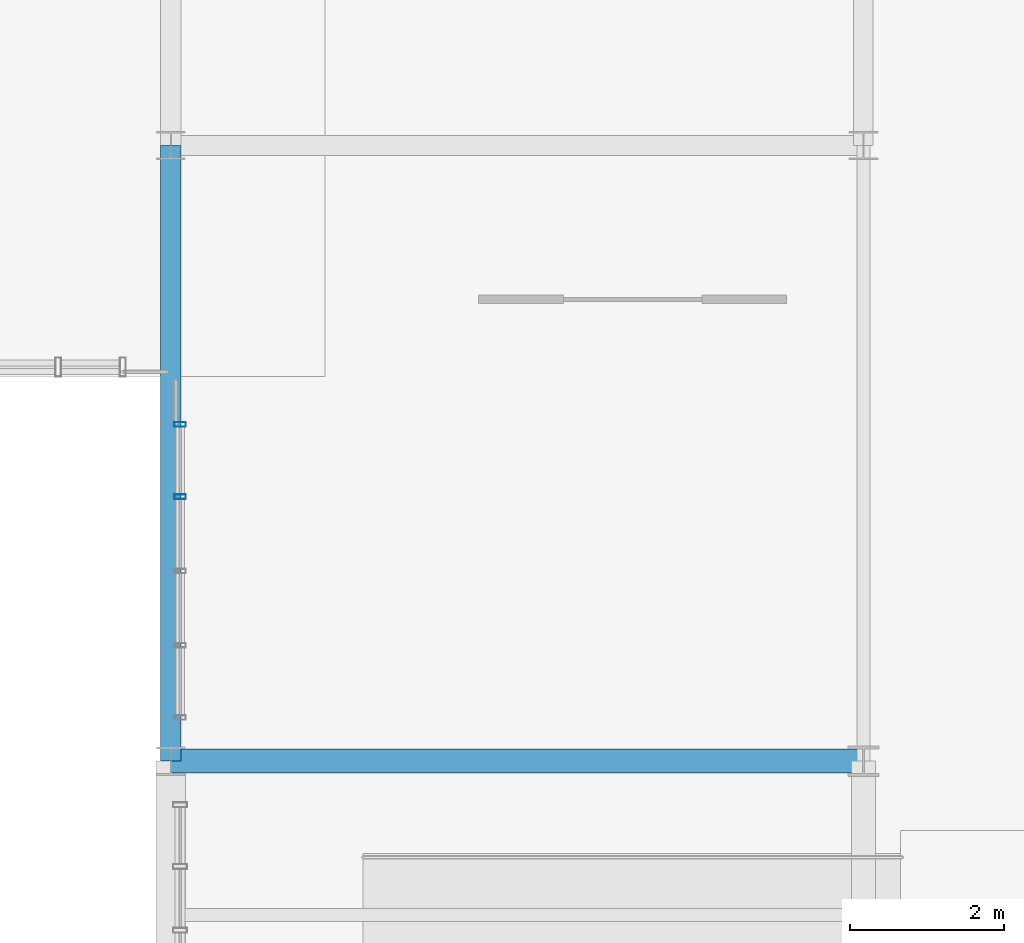
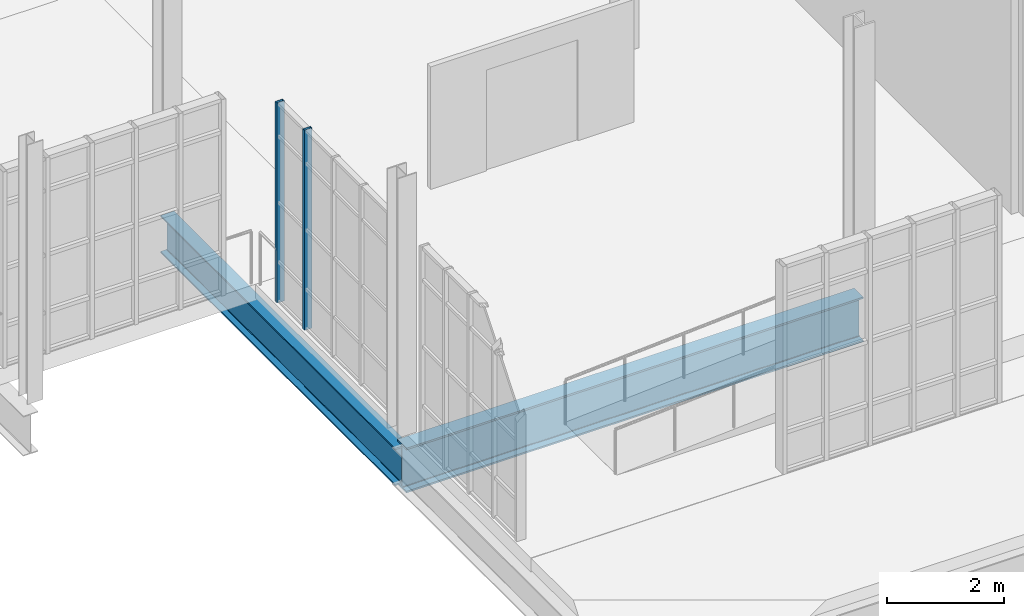
# One storey, part 49 of 189: 2 beams, 2 members, 1 element without a shape of its own.
"""IFC4 building model written with IfcOpenShell, lengths in metres."""

import ifcopenshell
import ifcopenshell.guid

model = None  # the IFC model being written
_history = None  # IfcOwnerHistory: only IFC2X3 demands one
_inside = {}  # id of a spatial element -> (the spatial element, [elements in it])
_under = {}  # id of a project, library or spatial element -> (it, [spatial elements below it])
_declared = {}  # id of a project -> (the project, [libraries it declares])
_typed = {}  # id of a type object -> (the type object, [elements of that type])
_made_of = {}  # id of a material, layer set ... -> (it, [elements and type objects made of it])


def new_model(schema):
    """Start an empty IFC model of exactly this schema.

    Asked for "IFC4X3", IfcOpenShell would pick the latest addendum, in which some entities
    have other attributes; the version numbers below select the first issue.
    IFC2X3 requires an IfcOwnerHistory on every rooted entity: one is made here for all.
    """
    global model, _history
    if schema == "IFC4X3":
        model = ifcopenshell.file(schema_version=(4, 3, 0, 0))
    else:
        model = ifcopenshell.file(schema=schema)
    _inside.clear()
    _under.clear()
    _declared.clear()
    _typed.clear()
    _made_of.clear()
    _history = None
    if model.schema == "IFC2X3":
        org = make("IfcOrganization", Name="unknown")
        user = make(
            "IfcPersonAndOrganization",
            ThePerson=make("IfcPerson", FamilyName="unknown"),
            TheOrganization=org,
        )
        app = make(
            "IfcApplication",
            ApplicationDeveloper=org,
            Version="unknown",
            ApplicationFullName="unknown",
            ApplicationIdentifier="unknown",
        )
        _history = make(
            "IfcOwnerHistory",
            OwningUser=user,
            OwningApplication=app,
            ChangeAction="ADDED",
            CreationDate=0,
        )
    return model


def make(cls, **values):
    """One entity of the class cls with the attributes given. An attribute that is None is left unset."""
    return model.create_entity(
        cls, **{name: value for name, value in values.items() if value is not None}
    )


def rooted(cls, **values):
    """An entity with a GlobalId (a new one), such as an element, a storey or a relation."""
    return make(cls, GlobalId=ifcopenshell.guid.new(), OwnerHistory=_history, **values)


def si_unit(unit_type, name, prefix=None):
    """IfcSIUnit, for example si_unit("LENGTHUNIT", "METRE", prefix="MILLI")."""
    return make("IfcSIUnit", UnitType=unit_type, Prefix=prefix, Name=name)


def assignment(units):
    """IfcUnitAssignment: the units of a project."""
    return None if units is None else make("IfcUnitAssignment", Units=units)


def point(xyz):
    """IfcCartesianPoint."""
    return None if xyz is None else make("IfcCartesianPoint", Coordinates=xyz)


def direction(xyz):
    """IfcDirection."""
    return None if xyz is None else make("IfcDirection", DirectionRatios=xyz)


def frame(location, z_axis=None, x_axis=None):
    """IfcAxis2Placement3D, a coordinate frame: its origin and axes. An axis left out is left unset."""
    return make(
        "IfcAxis2Placement3D",
        Location=point(location),
        Axis=direction(z_axis),
        RefDirection=direction(x_axis),
    )


def frame_2d(location, x_axis=None):
    """IfcAxis2Placement2D, a coordinate frame in the plane: its origin and x axis."""
    return make(
        "IfcAxis2Placement2D", Location=point(location), RefDirection=direction(x_axis)
    )


def origin():
    """The frame at (0, 0, 0) with its axes left unset."""
    return frame((0.0, 0.0, 0.0))


def origin_2d():
    """The frame at (0, 0) in the plane with its x axis left unset."""
    return frame_2d((0.0, 0.0))


def place(relative_to, where):
    """IfcLocalPlacement: puts the frame where relative to a parent placement (None: the world)."""
    return make(
        "IfcLocalPlacement", PlacementRelTo=relative_to, RelativePlacement=where
    )


def context(
    kind, dimensions, precision=None, world=None, true_north=None, identifier=None
):
    """IfcGeometricRepresentationContext, for example the 3D "Model" context."""
    return make(
        "IfcGeometricRepresentationContext",
        ContextIdentifier=identifier,
        ContextType=kind,
        CoordinateSpaceDimension=dimensions,
        Precision=precision,
        WorldCoordinateSystem=world,
        TrueNorth=true_north,
    )


def subcontext(parent, identifier, kind, view, scale=None):
    """IfcGeometricRepresentationSubContext, for example "Body" below "Model"."""
    return make(
        "IfcGeometricRepresentationSubContext",
        ContextIdentifier=identifier,
        ContextType=kind,
        ParentContext=parent,
        TargetScale=scale,
        TargetView=view,
    )


def project(units=None, contexts=None):
    """IfcProject with its units and contexts."""
    return rooted(
        "IfcProject",
        Name="project",
        RepresentationContexts=contexts,
        UnitsInContext=assignment(units),
    )


def spatial(cls, under=None, at=None, **own):
    """A site, building, storey or space (cls), placed at a placement, below another one or the project."""
    s = rooted(cls, ObjectPlacement=at, **own)
    if under is not None:
        _under.setdefault(under.id(), (under, []))[1].append(s)
    return s


def profile(cls, at=None, kind="AREA", **sizes):
    """A parametric profile (cls). Its sizes go by their IFC names, for example OverallWidth=200.0."""
    return make(cls, ProfileType=kind, Position=at, **sizes)


def hollow_rectangle(**sizes):
    """IfcRectangleHollowProfileDef."""
    return profile("IfcRectangleHollowProfileDef", **sizes)


def i_section(**sizes):
    """IfcIShapeProfileDef."""
    return profile("IfcIShapeProfileDef", **sizes)


def extrude(swept, where, along, depth):
    """IfcExtrudedAreaSolid: the profile swept, set in the frame where, extruded along a direction by depth."""
    return make(
        "IfcExtrudedAreaSolid",
        SweptArea=swept,
        Position=where,
        ExtrudedDirection=direction(along),
        Depth=depth,
    )


def shape(context_of_items, identifier, shape_type, items):
    """IfcShapeRepresentation: the items that make up one representation, for example the "Body"."""
    return make(
        "IfcShapeRepresentation",
        ContextOfItems=context_of_items,
        RepresentationIdentifier=identifier,
        RepresentationType=shape_type,
        Items=items,
    )


def material(Name=None, Category=None):
    """IfcMaterial."""
    return make("IfcMaterial", Name=Name, Category=Category)


def layer(
    of_material, thickness, ventilated=None, Name=None, Category=None, Priority=None
):
    """IfcMaterialLayer: one layer of a wall or slab, of a material (None: an air gap)."""
    return make(
        "IfcMaterialLayer",
        Material=of_material,
        LayerThickness=thickness,
        IsVentilated=ventilated,
        Name=Name,
        Category=Category,
        Priority=Priority,
    )


def layer_set(layers, Name=None):
    """IfcMaterialLayerSet."""
    return make("IfcMaterialLayerSet", MaterialLayers=layers, LayerSetName=Name)


def material_profile(
    of_material, cross_section, Name=None, Category=None, Priority=None
):
    """IfcMaterialProfile: a cross section and its material."""
    return make(
        "IfcMaterialProfile",
        Name=Name,
        Material=of_material,
        Profile=cross_section,
        Priority=Priority,
        Category=Category,
    )


def profile_set(profiles, Name=None, composite=None):
    """IfcMaterialProfileSet."""
    return make(
        "IfcMaterialProfileSet",
        Name=Name,
        MaterialProfiles=profiles,
        CompositeProfile=composite,
    )


def made_of(thing, what):
    """Note that an element or type object is made of a material, layer set ...; save() writes the relation."""
    if what is not None:
        _made_of.setdefault(what.id(), (what, []))[1].append(thing)
    return thing


def type_object(cls, material=None, **own):
    """A type object (cls), such as IfcWallType, which elements share."""
    return made_of(rooted(cls, **own), material)


def element(
    cls,
    number,
    at=None,
    inside=None,
    cuts=None,
    type_object=None,
    material=None,
    context=None,
    identifier="Body",
    shape_type=None,
    held_by="IfcProductDefinitionShape",
    body=None,
    shapes=None,
    **own,
):
    """One element of the class cls, such as IfcWall. Its Tag is "e" and its number.

    at: its placement. inside: the storey or other place that contains it. cuts: it is an
    opening in that element (IfcRelVoidsElement). A single representation is given by context,
    identifier, shape_type and body (its items); several are given by shapes. held_by: the class
    of the entity that holds the representations. save() writes the other relations.
    """
    e = rooted(cls, Tag="e%d" % number, ObjectPlacement=at, **own)
    if body is not None:
        shapes = [shape(context, identifier, shape_type, body)]
    if shapes is not None:
        e.Representation = make(held_by, Representations=shapes)
    if inside is not None:
        _inside.setdefault(inside.id(), (inside, []))[1].append(e)
    if cuts is not None:
        rooted(
            "IfcRelVoidsElement", RelatingBuildingElement=cuts, RelatedOpeningElement=e
        )
    if type_object is not None:
        _typed.setdefault(type_object.id(), (type_object, []))[1].append(e)
    return made_of(e, material)


def aggregate(whole, parts):
    """IfcRelAggregates: a whole, such as a stair, and the parts it consists of."""
    return rooted("IfcRelAggregates", RelatingObject=whole, RelatedObjects=parts)


def save(model, path):
    """Write the relations noted so far, then the file.

    IfcRelAggregates (storeys below a building ...), IfcRelContainedInSpatialStructure (elements
    in a storey), IfcRelDefinesByType, IfcRelAssociatesMaterial and IfcRelDeclares: one each for
    every whole, place, type object, material and project.
    """
    for whole, parts in _under.values():
        aggregate(whole, parts)
    for where, things in _inside.values():
        rooted(
            "IfcRelContainedInSpatialStructure",
            RelatedElements=things,
            RelatingStructure=where,
        )
    for kind, things in _typed.values():
        rooted("IfcRelDefinesByType", RelatedObjects=things, RelatingType=kind)
    for what, things in _made_of.values():
        rooted("IfcRelAssociatesMaterial", RelatedObjects=things, RelatingMaterial=what)
    for by, libraries in _declared.values():
        rooted("IfcRelDeclares", RelatingContext=by, RelatedDefinitions=libraries)
    model.write(path)


model = new_model("IFC4")

# Units and contexts
model_context = context("Model", 3, precision=1e-05, world=origin(), true_north=direction((0.0, 1.0)))
body_context = subcontext(model_context, "Body", "Model", "MODEL_VIEW")
ifc_project = project(units=[si_unit("LENGTHUNIT", "METRE"), si_unit("AREAUNIT", "SQUARE_METRE"), si_unit("VOLUMEUNIT", "CUBIC_METRE"), si_unit("PLANEANGLEUNIT", "RADIAN"), si_unit("MASSUNIT", "GRAM", prefix="KILO"), si_unit("THERMODYNAMICTEMPERATUREUNIT", "KELVIN"), si_unit("POWERUNIT", "WATT")], contexts=[model_context])

# Site, building, storey
site_placement = place(None, origin())
site = spatial("IfcSite", under=ifc_project, at=site_placement, CompositionType="ELEMENT")
building_placement = place(site_placement, origin())
building = spatial("IfcBuilding", under=site, at=building_placement, Name="Zelmaris Science Centre", CompositionType="ELEMENT")
storey_placement = place(building_placement, origin())
storey = spatial("IfcBuildingStorey", under=building, at=storey_placement, Name="L00", CompositionType="ELEMENT", Elevation=0.0)

# Curtain wall, members
ifc_material_1 = material(Name="Anodised architectural aluminium 6063-T6", Category="aluminium")
ifc_layer = layer(ifc_material_1, 0.219970703125, Name="Anodised architectural aluminium 6063-T6")
ifc_layer_set = layer_set([ifc_layer], Name="Anodised architectural aluminium 6063-T6")
curtain_wall_type = type_object("IfcCurtainWallType", Name="Curtain Wall CW-04", PredefinedType="USERDEFINED", material=ifc_layer_set)
curtain_wall_placement = place(storey_placement, origin())
curtain_wall = element("IfcCurtainWall", 1, at=curtain_wall_placement, inside=storey, type_object=curtain_wall_type, Name="L00 Unitised curtain wall 112", ObjectType="GLAZED CURTAIN WALL", PredefinedType="USERDEFINED")
ifc_material_profile_1 = material_profile(ifc_material_1, hollow_rectangle(XDim=0.06005859375, YDim=0.14990234375, WallThickness=0.00341796875, at=origin_2d()), Name="ALU-MUL-60X150")
ifc_profile_set_1 = profile_set([ifc_material_profile_1], Name="Anodised architectural aluminium 6063-T6")
member_type = type_object("IfcMemberType", Name="ALU-MUL-60X150", PredefinedType="MULLION", material=ifc_profile_set_1)
member_1_placement = place(storey_placement, frame((108.1201171875, 19.43505859375, -0.014892578125), z_axis=(0.0, 0.0, 1.0), x_axis=(-6.981317e-06, 0.999999999976, 0.0)))
member_1 = element("IfcMember", 2, at=member_1_placement, type_object=member_type, Name="CW-04 mullion 4", PredefinedType="MULLION", context=body_context, shape_type="SweptSolid", body=[
    extrude(hollow_rectangle(XDim=0.06005859375, YDim=0.14990234375, WallThickness=0.00341796875, at=origin_2d()), origin(), (0.0, 0.0, 1.0), 4.16796875),
])
member_2_placement = place(storey_placement, frame((108.1201171875, 20.3740234375, -0.014892578125), z_axis=(0.0, 0.0, 1.0), x_axis=(-6.981317e-06, 0.999999999976, 0.0)))
member_2 = element("IfcMember", 3, at=member_2_placement, type_object=member_type, Name="CW-04 mullion 5", PredefinedType="MULLION", context=body_context, shape_type="SweptSolid", body=[
    extrude(hollow_rectangle(XDim=0.06005859375, YDim=0.14990234375, WallThickness=0.00341796875, at=origin_2d()), origin(), (0.0, 0.0, 1.0), 4.16796875),
])
aggregate(curtain_wall, [member_1, member_2])

# Beams
ifc_material_2 = material(Name="Steel ASTM A992 Grade 50", Category="steel")
ifc_material_profile_2 = material_profile(ifc_material_2, i_section(OverallWidth=0.31005859375, OverallDepth=0.931884765625, WebThickness=0.02099609375, FlangeThickness=0.034423828125, FilletRadius=0.02392578125, at=origin_2d()), Name="W36X210")
ifc_profile_set_2 = profile_set([ifc_material_profile_2], Name="Steel ASTM A992 Grade 50")
beam_type_1 = type_object("IfcBeamType", Name="Beam G-25 W36X210", PredefinedType="BEAM", material=ifc_profile_set_2)
beam_1_placement = place(storey_placement, frame((108.0, 16.0, -0.756103515625), z_axis=(1.0, 0.0, 0.0), x_axis=(0.0, 1.0, 0.0)))
element("IfcBeam", 4, at=beam_1_placement, inside=storey, type_object=beam_type_1, Name="L00 East-west girder 107", PredefinedType="BEAM", context=body_context, shape_type="SweptSolid", body=[
    extrude(i_section(OverallWidth=0.31005859375, OverallDepth=0.931884765625, WebThickness=0.02099609375, FlangeThickness=0.034423828125, FilletRadius=0.02392578125, at=origin_2d()), origin(), (0.0, 0.0, 1.0), 9.0),
])
ifc_material_profile_3 = material_profile(ifc_material_2, i_section(OverallWidth=0.26708984375, OverallDepth=0.780029296875, WebThickness=0.0166015625, FlangeThickness=0.030029296875, FilletRadius=0.01904296875, at=origin_2d()), Name="W30X148")
ifc_profile_set_3 = profile_set([ifc_material_profile_3], Name="Steel ASTM A992 Grade 50")
beam_type_2 = type_object("IfcBeamType", Name="Beam G-32 W30X148", PredefinedType="BEAM", material=ifc_profile_set_3)
beam_2_placement = place(storey_placement, frame((108.0, 16.0, -0.72998046875), z_axis=(0.0, 1.0, 0.0), x_axis=(-1.0, 0.0, 0.0)))
element("IfcBeam", 5, at=beam_2_placement, inside=storey, type_object=beam_type_2, Name="L00 North-south girder 52", PredefinedType="BEAM", context=body_context, shape_type="SweptSolid", body=[
    extrude(i_section(OverallWidth=0.26708984375, OverallDepth=0.780029296875, WebThickness=0.0166015625, FlangeThickness=0.030029296875, FilletRadius=0.01904296875, at=origin_2d()), origin(), (0.0, 0.0, 1.0), 8.0),
])

save(model, "model.ifc")
